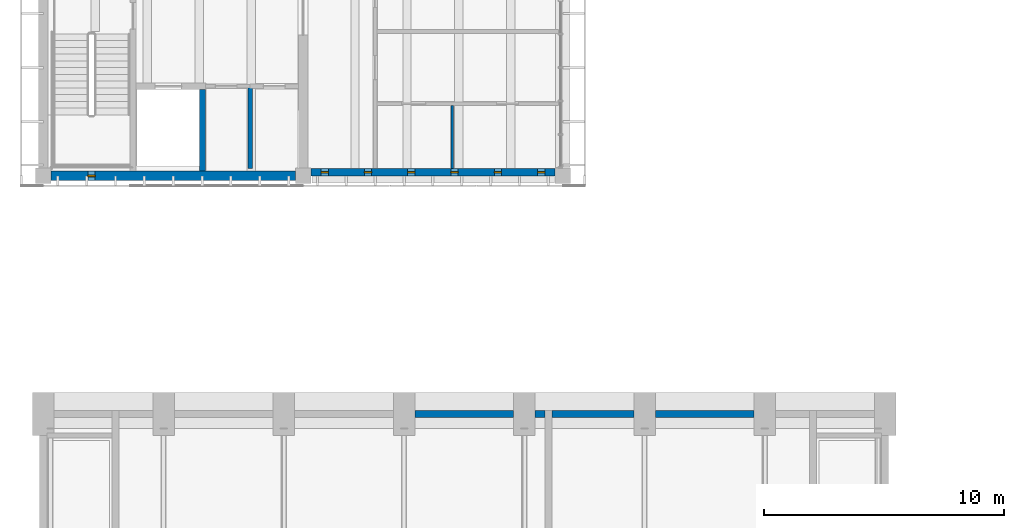
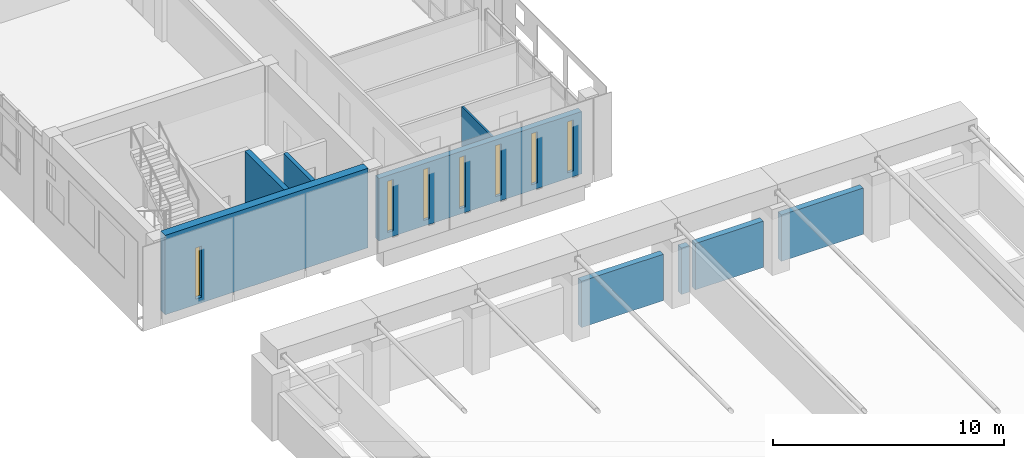
# One storey, part 50 of 92: 9 walls, 7 windows, 7 openings.
"""IFC4 building model written with IfcOpenShell, lengths in metres."""

from ifc_helpers import new_model, si_unit, direction, frame, frame_2d, origin, place, context, subcontext, project, spatial, rectangle, extrude, material, layer, layer_set, type_object, element, fill, save


model = new_model("IFC4")

# Units and contexts
model_context = context("Model", 3, precision=1e-05, world=origin(), true_north=direction((0.0, 1.0)))
body_context = subcontext(model_context, "Body", "Model", "MODEL_VIEW")
ifc_project = project(units=[si_unit("LENGTHUNIT", "METRE"), si_unit("AREAUNIT", "SQUARE_METRE"), si_unit("VOLUMEUNIT", "CUBIC_METRE"), si_unit("PLANEANGLEUNIT", "RADIAN"), si_unit("MASSUNIT", "GRAM", prefix="KILO")], contexts=[model_context])

# Site, building, storey
site_placement = place(None, origin())
site = spatial("IfcSite", under=ifc_project, at=site_placement, CompositionType="ELEMENT")
building_placement = place(site_placement, origin())
building = spatial("IfcBuilding", under=site, at=building_placement, Name="Merrow Basin Faculty of Sciences", CompositionType="ELEMENT")
storey_placement = place(building_placement, frame((0.0, 0.0, 4.5)))
storey = spatial("IfcBuildingStorey", under=building, at=storey_placement, Name="L01", CompositionType="ELEMENT", Elevation=4.5)

# Wall, openings, windows
ifc_material_1 = material(Name="Precast concrete C40/50", Category="concrete")
ifc_layer_1 = layer(ifc_material_1, 0.300048828125)
ifc_layer_set_1 = layer_set([ifc_layer_1], Name="End wall 300 Precast concrete C40/50")
wall_type_1 = type_object("IfcWallType", Name="End wall 300 Precast concrete C40/50", PredefinedType="STANDARD", material=ifc_layer_set_1)
wall_1_placement = place(storey_placement, frame((21.27490234375, 61.14990234375, 0.0), z_axis=(0.0, 0.0, 1.0), x_axis=(-1.0, 0.0, 0.0)))
wall_1 = element("IfcWall", 1, at=wall_1_placement, inside=storey, type_object=wall_type_1, Name="South end wall 1", PredefinedType="STANDARD", context=body_context, shape_type="SweptSolid", body=[
    extrude(rectangle(XDim=10.14990234375, YDim=0.300048828125, at=frame_2d((5.074951171875, 0.0))), origin(), (0.0, 0.0, 1.0), 3.300048828125),
])
opening_1_placement = place(wall_1_placement, frame((9.425048828125, 0.0, 0.300048828125)))
opening_1 = element("IfcOpeningElement", 2, at=opening_1_placement, cuts=wall_1, Name="Opening WN1", PredefinedType="OPENING", context=body_context, shape_type="SweptSolid", body=[
    extrude(rectangle(XDim=0.300048828125, YDim=2.699951171875, at=frame_2d((0.14990234375, 1.35009765625))), frame((0.0, 0.159912109375, 0.0), z_axis=(0.0, -1.0, 0.0), x_axis=(1.0, 0.0, 0.0)), (0.0, 0.0, 1.0), 0.320068359375),
])
opening_2_placement = place(wall_1_placement, frame((7.625, 0.0, 0.300048828125)))
opening_2 = element("IfcOpeningElement", 3, at=opening_2_placement, cuts=wall_1, Name="Opening WN1", PredefinedType="OPENING", context=body_context, shape_type="SweptSolid", body=[
    extrude(rectangle(XDim=0.300048828125, YDim=2.699951171875, at=frame_2d((0.14990234375, 1.35009765625))), frame((0.0, 0.159912109375, 0.0), z_axis=(0.0, -1.0, 0.0), x_axis=(1.0, 0.0, 0.0)), (0.0, 0.0, 1.0), 0.320068359375),
])
opening_3_placement = place(wall_1_placement, frame((5.824951171875, 0.0, 0.300048828125)))
opening_3 = element("IfcOpeningElement", 4, at=opening_3_placement, cuts=wall_1, Name="Opening WN1", PredefinedType="OPENING", context=body_context, shape_type="SweptSolid", body=[
    extrude(rectangle(XDim=0.300048828125, YDim=2.699951171875, at=frame_2d((0.14990234375, 1.35009765625))), frame((0.0, 0.159912109375, 0.0), z_axis=(0.0, -1.0, 0.0), x_axis=(1.0, 0.0, 0.0)), (0.0, 0.0, 1.0), 0.320068359375),
])
opening_4_placement = place(wall_1_placement, frame((4.02490234375, 0.0, 0.300048828125)))
opening_4 = element("IfcOpeningElement", 5, at=opening_4_placement, cuts=wall_1, Name="Opening WN1", PredefinedType="OPENING", context=body_context, shape_type="SweptSolid", body=[
    extrude(rectangle(XDim=0.300048828125, YDim=2.699951171875, at=frame_2d((0.14990234375, 1.35009765625))), frame((0.0, 0.159912109375, 0.0), z_axis=(0.0, -1.0, 0.0), x_axis=(1.0, 0.0, 0.0)), (0.0, 0.0, 1.0), 0.320068359375),
])
opening_5_placement = place(wall_1_placement, frame((2.22509765625, 0.0, 0.300048828125)))
opening_5 = element("IfcOpeningElement", 6, at=opening_5_placement, cuts=wall_1, Name="Opening WN1", PredefinedType="OPENING", context=body_context, shape_type="SweptSolid", body=[
    extrude(rectangle(XDim=0.300048828125, YDim=2.699951171875, at=frame_2d((0.14990234375, 1.35009765625))), frame((0.0, 0.159912109375, 0.0), z_axis=(0.0, -1.0, 0.0), x_axis=(1.0, 0.0, 0.0)), (0.0, 0.0, 1.0), 0.320068359375),
])
opening_6_placement = place(wall_1_placement, frame((0.425048828125, 0.0, 0.300048828125)))
opening_6 = element("IfcOpeningElement", 7, at=opening_6_placement, cuts=wall_1, Name="Opening WN1", PredefinedType="OPENING", context=body_context, shape_type="SweptSolid", body=[
    extrude(rectangle(XDim=0.300048828125, YDim=2.699951171875, at=frame_2d((0.14990234375, 1.35009765625))), frame((0.0, 0.159912109375, 0.0), z_axis=(0.0, -1.0, 0.0), x_axis=(1.0, 0.0, 0.0)), (0.0, 0.0, 1.0), 0.320068359375),
])
ifc_material_2 = material(Name="Low-E double glazing", Category="glass")
window_type = type_object("IfcWindowType", Name="Slot window 300 x 2700", PartitioningType="SINGLE_PANEL", PredefinedType="WINDOW", material=ifc_material_2)
window_1_placement = place(opening_1_placement, origin())
window_1 = element("IfcWindow", 8, at=window_1_placement, inside=storey, type_object=window_type, Name="South slot window L01", OverallHeight=2.699951171875, OverallWidth=0.300048828125, PartitioningType="SINGLE_PANEL", PredefinedType="WINDOW", context=body_context, shape_type="SweptSolid", body=[
    extrude(rectangle(XDim=0.300048828125, YDim=2.699951171875, at=frame_2d((0.14990234375, 1.35009765625))), frame((0.0, 0.030029296875, 0.0), z_axis=(0.0, -1.0, 0.0), x_axis=(1.0, 0.0, 0.0)), (0.0, 0.0, 1.0), 0.06005859375),
])
fill(opening_1, window_1)
window_2_placement = place(opening_2_placement, origin())
window_2 = element("IfcWindow", 9, at=window_2_placement, inside=storey, type_object=window_type, Name="South slot window L01", OverallHeight=2.699951171875, OverallWidth=0.300048828125, PartitioningType="SINGLE_PANEL", PredefinedType="WINDOW", context=body_context, shape_type="SweptSolid", body=[
    extrude(rectangle(XDim=0.300048828125, YDim=2.699951171875, at=frame_2d((0.14990234375, 1.35009765625))), frame((0.0, 0.030029296875, 0.0), z_axis=(0.0, -1.0, 0.0), x_axis=(1.0, 0.0, 0.0)), (0.0, 0.0, 1.0), 0.06005859375),
])
fill(opening_2, window_2)
window_3_placement = place(opening_3_placement, origin())
window_3 = element("IfcWindow", 10, at=window_3_placement, inside=storey, type_object=window_type, Name="South slot window L01", OverallHeight=2.699951171875, OverallWidth=0.300048828125, PartitioningType="SINGLE_PANEL", PredefinedType="WINDOW", context=body_context, shape_type="SweptSolid", body=[
    extrude(rectangle(XDim=0.300048828125, YDim=2.699951171875, at=frame_2d((0.14990234375, 1.35009765625))), frame((0.0, 0.030029296875, 0.0), z_axis=(0.0, -1.0, 0.0), x_axis=(1.0, 0.0, 0.0)), (0.0, 0.0, 1.0), 0.06005859375),
])
fill(opening_3, window_3)
window_4_placement = place(opening_4_placement, origin())
window_4 = element("IfcWindow", 11, at=window_4_placement, inside=storey, type_object=window_type, Name="South slot window L01", OverallHeight=2.699951171875, OverallWidth=0.300048828125, PartitioningType="SINGLE_PANEL", PredefinedType="WINDOW", context=body_context, shape_type="SweptSolid", body=[
    extrude(rectangle(XDim=0.300048828125, YDim=2.699951171875, at=frame_2d((0.14990234375, 1.35009765625))), frame((0.0, 0.030029296875, 0.0), z_axis=(0.0, -1.0, 0.0), x_axis=(1.0, 0.0, 0.0)), (0.0, 0.0, 1.0), 0.06005859375),
])
fill(opening_4, window_4)
window_5_placement = place(opening_5_placement, origin())
window_5 = element("IfcWindow", 12, at=window_5_placement, inside=storey, type_object=window_type, Name="South slot window L01", OverallHeight=2.699951171875, OverallWidth=0.300048828125, PartitioningType="SINGLE_PANEL", PredefinedType="WINDOW", context=body_context, shape_type="SweptSolid", body=[
    extrude(rectangle(XDim=0.300048828125, YDim=2.699951171875, at=frame_2d((0.14990234375, 1.35009765625))), frame((0.0, 0.030029296875, 0.0), z_axis=(0.0, -1.0, 0.0), x_axis=(1.0, 0.0, 0.0)), (0.0, 0.0, 1.0), 0.06005859375),
])
fill(opening_5, window_5)
window_6_placement = place(opening_6_placement, origin())
window_6 = element("IfcWindow", 13, at=window_6_placement, inside=storey, type_object=window_type, Name="South slot window L01", OverallHeight=2.699951171875, OverallWidth=0.300048828125, PartitioningType="SINGLE_PANEL", PredefinedType="WINDOW", context=body_context, shape_type="SweptSolid", body=[
    extrude(rectangle(XDim=0.300048828125, YDim=2.699951171875, at=frame_2d((0.14990234375, 1.35009765625))), frame((0.0, 0.030029296875, 0.0), z_axis=(0.0, -1.0, 0.0), x_axis=(1.0, 0.0, 0.0)), (0.0, 0.0, 1.0), 0.06005859375),
])
fill(opening_6, window_6)

# Walls
ifc_material_3 = material(Name="Concrete C40/50", Category="concrete")
ifc_layer_2 = layer(ifc_material_3, 0.300048828125)
ifc_layer_set_2 = layer_set([ifc_layer_2], Name="Hall wall 300 Concrete C40/50")
wall_type_2 = type_object("IfcWallType", Name="Hall wall 300 Concrete C40/50", PredefinedType="SHEAR", material=ifc_layer_set_2)
for number, where, z_axis, x_axis, name in (
    (14, (15.449951171875, 51.10009765625, 0.0), (0.0, 0.0, 1.0), (1.0, 0.0, 0.0), "SW7 L01 028"),
    (15, (25.449951171875, 51.10009765625, 0.0), (0.0, 0.0, 1.0), (1.0, 0.0, 0.0), "SW7 L01 029"),
):
    element("IfcWall", number, at=place(storey_placement, frame(where, z_axis=z_axis, x_axis=x_axis)), inside=storey, type_object=wall_type_2, Name=name, PredefinedType="SHEAR", context=body_context, shape_type="SweptSolid", body=[
        extrude(rectangle(XDim=4.10009765625, YDim=0.300048828125, at=frame_2d((2.050048828125, 0.0))), origin(), (0.0, 0.0, 1.0), 2.449951171875),
    ])
wall_2_placement = place(storey_placement, frame((21.14990234375, 51.10009765625, 0.0), z_axis=(0.0, 0.0, 1.0), x_axis=(1.0, 0.0, 0.0)))
element("IfcWall", 16, at=wall_2_placement, inside=storey, type_object=wall_type_2, Name="SW7 L01 031", PredefinedType="SHEAR", context=body_context, shape_type="SweptSolid", body=[
    extrude(rectangle(XDim=3.400146484375, YDim=0.300048828125, at=frame_2d((1.7001953125, 0.0))), origin(), (0.0, 0.0, 1.0), 2.449951171875),
])
wall_3_placement = place(storey_placement, frame((20.449951171875, 51.10009765625, 0.0), z_axis=(0.0, 0.0, 1.0), x_axis=(1.0, 0.0, 0.0)))
element("IfcWall", 17, at=wall_3_placement, inside=storey, type_object=wall_type_2, Name="SW7 L01 036", PredefinedType="SHEAR", context=body_context, shape_type="SweptSolid", body=[
    extrude(rectangle(XDim=0.400146484375, YDim=0.300048828125, at=frame_2d((0.2001953125, 0.0))), origin(), (0.0, 0.0, 1.0), 2.449951171875),
])
ifc_material_4 = material(Name="Moisture-resistant gypsum board")
ifc_layer_3 = layer(ifc_material_4, 0.10009765625)
ifc_layer_set_3 = layer_set([ifc_layer_3], Name="Partition 100 moisture-resistant board on steel studs")
wall_type_3 = type_object("IfcWallType", Name="Partition 100 moisture-resistant board on steel studs", PredefinedType="PARTITIONING", material=ifc_layer_set_3)
wall_4_placement = place(storey_placement, frame((17.0, 61.300048828125, 0.0), z_axis=(0.0, 0.0, 1.0), x_axis=(0.0, 1.0, 0.0)))
element("IfcWall", 18, at=wall_4_placement, inside=storey, type_object=wall_type_3, Name="IW101 L01 025", PredefinedType="PARTITIONING", context=body_context, shape_type="SweptSolid", body=[
    extrude(rectangle(XDim=2.625, YDim=0.10009765625, at=frame_2d((1.3125, 0.0))), origin(), (0.0, 0.0, 1.0), 3.300048828125),
])
ifc_material_5 = material(Name="Fire-rated gypsum board")
ifc_layer_4 = layer(ifc_material_5, 0.199951171875)
ifc_layer_set_4 = layer_set([ifc_layer_4], Name="Riser lining 200 fire-rated board on steel studs")
wall_type_4 = type_object("IfcWallType", Name="Riser lining 200 fire-rated board on steel studs", PredefinedType="PARTITIONING", material=ifc_layer_set_4)
wall_5_placement = place(storey_placement, frame((8.60009765625, 61.300048828125, 0.0), z_axis=(0.0, 0.0, 1.0), x_axis=(0.0, 1.0, 0.0)))
element("IfcWall", 19, at=wall_5_placement, inside=storey, type_object=wall_type_4, Name="IW200 L01 001", PredefinedType="PARTITIONING", context=body_context, shape_type="SweptSolid", body=[
    extrude(rectangle(XDim=3.425048828125, YDim=0.199951171875, at=frame_2d((1.71240234375, 0.0))), origin(), (0.0, 0.0, 1.0), 3.300048828125),
])
ifc_material_6 = material(Name="Concrete C40/50", Category="concrete")
ifc_layer_5 = layer(ifc_material_6, 0.25)
ifc_layer_set_5 = layer_set([ifc_layer_5], Name="Shear wall 250 Concrete C40/50")
wall_type_5 = type_object("IfcWallType", Name="Shear wall 250 Concrete C40/50", PredefinedType="SHEAR", material=ifc_layer_set_5)
wall_6_placement = place(storey_placement, frame((6.625, 61.199951171875, 0.0), z_axis=(0.0, 0.0, 1.0), x_axis=(0.0, 1.0, 0.0)))
element("IfcWall", 20, at=wall_6_placement, inside=storey, type_object=wall_type_5, Name="SW2 L01 008", PredefinedType="SHEAR", context=body_context, shape_type="SweptSolid", body=[
    extrude(rectangle(XDim=3.400146484375, YDim=0.25, at=frame_2d((1.7001953125, 0.0))), origin(), (0.0, 0.0, 1.0), 4.199951171875),
])

# Wall, opening, window
ifc_material_7 = material(Name="Concrete C40/50", Category="concrete")
ifc_layer_6 = layer(ifc_material_7, 0.39990234375)
ifc_layer_set_6 = layer_set([ifc_layer_6], Name="Shear wall 400 Concrete C40/50")
wall_type_6 = type_object("IfcWallType", Name="Shear wall 400 Concrete C40/50", PredefinedType="SHEAR", material=ifc_layer_set_6)
wall_7_placement = place(storey_placement, frame((0.324951171875, 61.0, 0.0), z_axis=(0.0, 0.0, 1.0), x_axis=(1.0, 0.0, 0.0)))
wall_7 = element("IfcWall", 21, at=wall_7_placement, inside=storey, type_object=wall_type_6, Name="SW1 L01 001", PredefinedType="SHEAR", context=body_context, shape_type="SweptSolid", body=[
    extrude(rectangle(XDim=10.150146484375, YDim=0.39990234375, at=frame_2d((5.0751953125, 0.0))), origin(), (0.0, 0.0, 1.0), 4.199951171875),
])
opening_7_placement = place(wall_7_placement, frame((1.52490234375, 0.0, 0.300048828125)))
opening_7 = element("IfcOpeningElement", 22, at=opening_7_placement, cuts=wall_7, Name="Opening WN1", PredefinedType="OPENING", context=body_context, shape_type="SweptSolid", body=[
    extrude(rectangle(XDim=0.300048828125, YDim=2.699951171875, at=frame_2d((0.14990234375, 1.35009765625))), frame((0.0, 0.2099609375, 0.0), z_axis=(0.0, -1.0, 0.0), x_axis=(1.0, 0.0, 0.0)), (0.0, 0.0, 1.0), 0.419921875),
])
window_7_placement = place(opening_7_placement, origin())
window_7 = element("IfcWindow", 23, at=window_7_placement, inside=storey, type_object=window_type, Name="Stair slot window C-V4-S L01", OverallHeight=2.699951171875, OverallWidth=0.300048828125, PartitioningType="SINGLE_PANEL", PredefinedType="WINDOW", context=body_context, shape_type="SweptSolid", body=[
    extrude(rectangle(XDim=0.300048828125, YDim=2.699951171875, at=frame_2d((0.14990234375, 1.35009765625))), frame((0.0, 0.030029296875, 0.0), z_axis=(0.0, -1.0, 0.0), x_axis=(1.0, 0.0, 0.0)), (0.0, 0.0, 1.0), 0.06005859375),
])
fill(opening_7, window_7)

save(model, "model.ifc")
